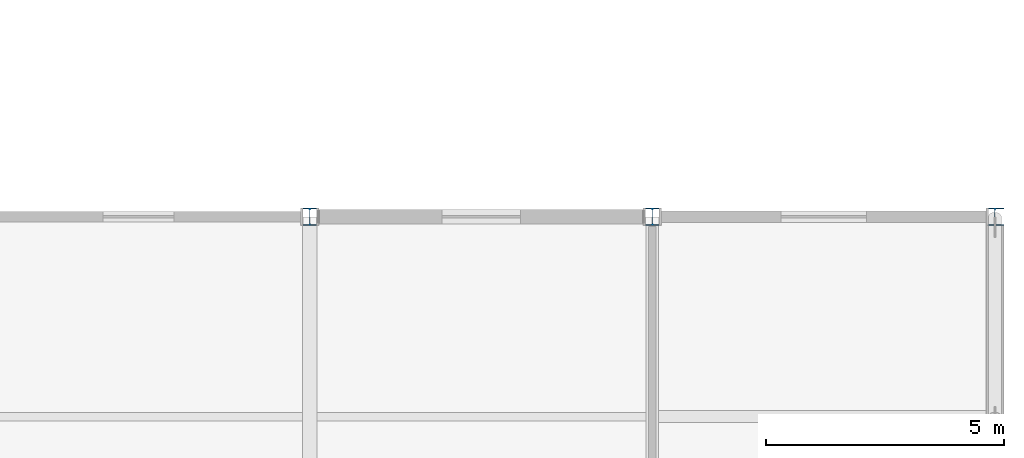
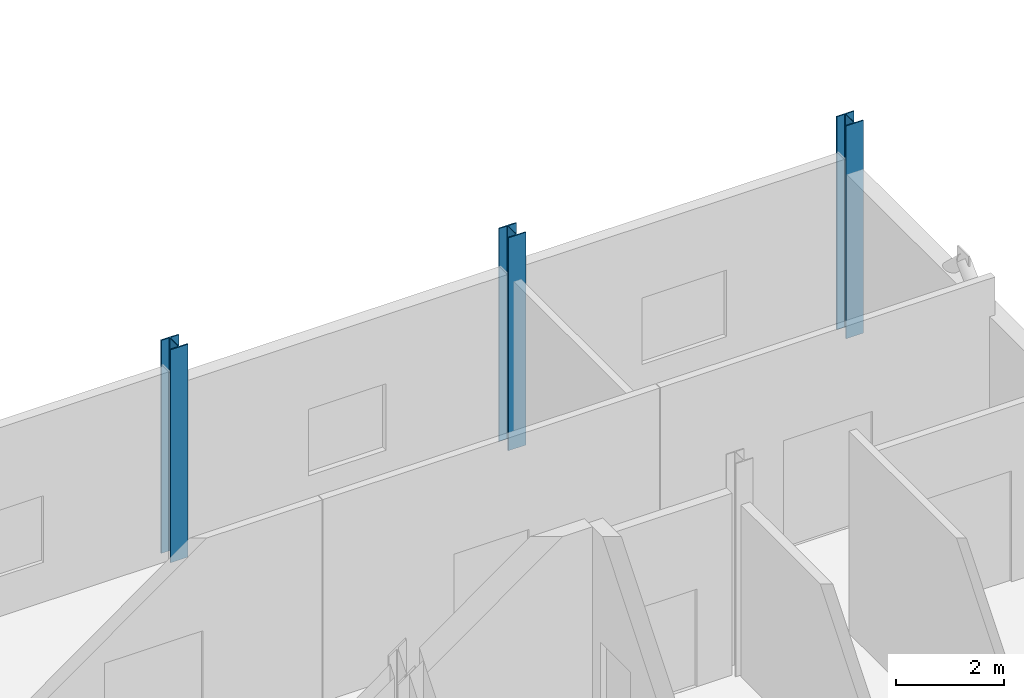
# One storey, part 7 of 45: 3 columns.
"""IFC4 building model written with IfcOpenShell, lengths in metres."""

from ifc_helpers import new_model, si_unit, direction, frame, origin, origin_2d, place, context, subcontext, project, spatial, i_section, extrude, material, material_profile, profile_set, type_object, element, save


model = new_model("IFC4")

# Units and contexts
model_context = context("Model", 3, precision=1e-05, world=origin(), true_north=direction((0.0, 1.0)))
body_context = subcontext(model_context, "Body", "Model", "MODEL_VIEW")
ifc_project = project(units=[si_unit("LENGTHUNIT", "METRE"), si_unit("AREAUNIT", "SQUARE_METRE"), si_unit("VOLUMEUNIT", "CUBIC_METRE"), si_unit("PLANEANGLEUNIT", "RADIAN"), si_unit("MASSUNIT", "GRAM", prefix="KILO")], contexts=[model_context])

# Site, building, storey
site_placement = place(None, origin())
site = spatial("IfcSite", under=ifc_project, at=site_placement, CompositionType="ELEMENT")
building_placement = place(site_placement, origin())
building = spatial("IfcBuilding", under=site, at=building_placement, Name="Calvrana Isthmian Art Gallery", CompositionType="ELEMENT")
storey_placement = place(building_placement, frame((0.0, 0.0, 19.800048828125)))
storey = spatial("IfcBuildingStorey", under=building, at=storey_placement, Name="L04", CompositionType="ELEMENT", Elevation=19.800048828125)

# Columns
ifc_material = material(Name="Steel ASTM A992 Gr 50", Category="steel")
ifc_material_profile_1 = material_profile(ifc_material, i_section(OverallWidth=0.37109375, OverallDepth=0.363037109375, WebThickness=0.01318359375, FlangeThickness=0.021728515625, FilletRadius=0.02490234375, at=origin_2d()), Name="W14X109")
ifc_profile_set_1 = profile_set([ifc_material_profile_1], Name="Steel ASTM A992 Gr 50")
column_type_1 = type_object("IfcColumnType", Name="COL-STL-W14X109", PredefinedType="COLUMN", material=ifc_profile_set_1)
column_1_placement = place(storey_placement, frame((141.60009765625, 46.800048828125, 0.0), z_axis=(0.0, 0.0, 1.0), x_axis=(1.0, 0.0, 0.0)))
element("IfcColumn", 1, at=column_1_placement, inside=storey, type_object=column_type_1, Name="Column 19/G L04", PredefinedType="COLUMN", context=body_context, shape_type="SweptSolid", body=[
    extrude(i_section(OverallWidth=0.37109375, OverallDepth=0.363037109375, WebThickness=0.01318359375, FlangeThickness=0.021728515625, FilletRadius=0.02490234375, at=origin_2d()), origin(), (0.0, 0.0, 1.0), 4.800048828125),
])
ifc_material_profile_2 = material_profile(ifc_material, i_section(OverallWidth=0.373046875, OverallDepth=0.367919921875, WebThickness=0.014892578125, FlangeThickness=0.02392578125, FilletRadius=0.02490234375, at=origin_2d()), Name="W14X120")
ifc_profile_set_2 = profile_set([ifc_material_profile_2], Name="Steel ASTM A992 Gr 50")
column_type_2 = type_object("IfcColumnType", Name="COL-STL-W14X120", PredefinedType="COLUMN", material=ifc_profile_set_2)
column_2_placement = place(storey_placement, frame((134.39990234375, 46.800048828125, 0.0), z_axis=(0.0, 0.0, 1.0), x_axis=(1.0, 0.0, 0.0)))
element("IfcColumn", 2, at=column_2_placement, inside=storey, type_object=column_type_2, Name="Column 18/G L04", PredefinedType="COLUMN", context=body_context, shape_type="SweptSolid", body=[
    extrude(i_section(OverallWidth=0.373046875, OverallDepth=0.367919921875, WebThickness=0.014892578125, FlangeThickness=0.02392578125, FilletRadius=0.02490234375, at=origin_2d()), origin(), (0.0, 0.0, 1.0), 4.800048828125),
])
ifc_material_profile_3 = material_profile(ifc_material, i_section(OverallWidth=0.373046875, OverallDepth=0.373046875, WebThickness=0.016357421875, FlangeThickness=0.026123046875, FilletRadius=0.02490234375, at=origin_2d()), Name="W14X132")
ifc_profile_set_3 = profile_set([ifc_material_profile_3], Name="Steel ASTM A992 Gr 50")
column_type_3 = type_object("IfcColumnType", Name="COL-STL-W14X132", PredefinedType="COLUMN", material=ifc_profile_set_3)
column_3_placement = place(storey_placement, frame((127.199951171875, 46.800048828125, 0.0), z_axis=(0.0, 0.0, 1.0), x_axis=(1.0, 0.0, 0.0)))
element("IfcColumn", 3, at=column_3_placement, inside=storey, type_object=column_type_3, Name="Column 17/G L04", PredefinedType="COLUMN", context=body_context, shape_type="SweptSolid", body=[
    extrude(i_section(OverallWidth=0.373046875, OverallDepth=0.373046875, WebThickness=0.016357421875, FlangeThickness=0.026123046875, FilletRadius=0.02490234375, at=origin_2d()), origin(), (0.0, 0.0, 1.0), 4.800048828125),
])

save(model, "model.ifc")
